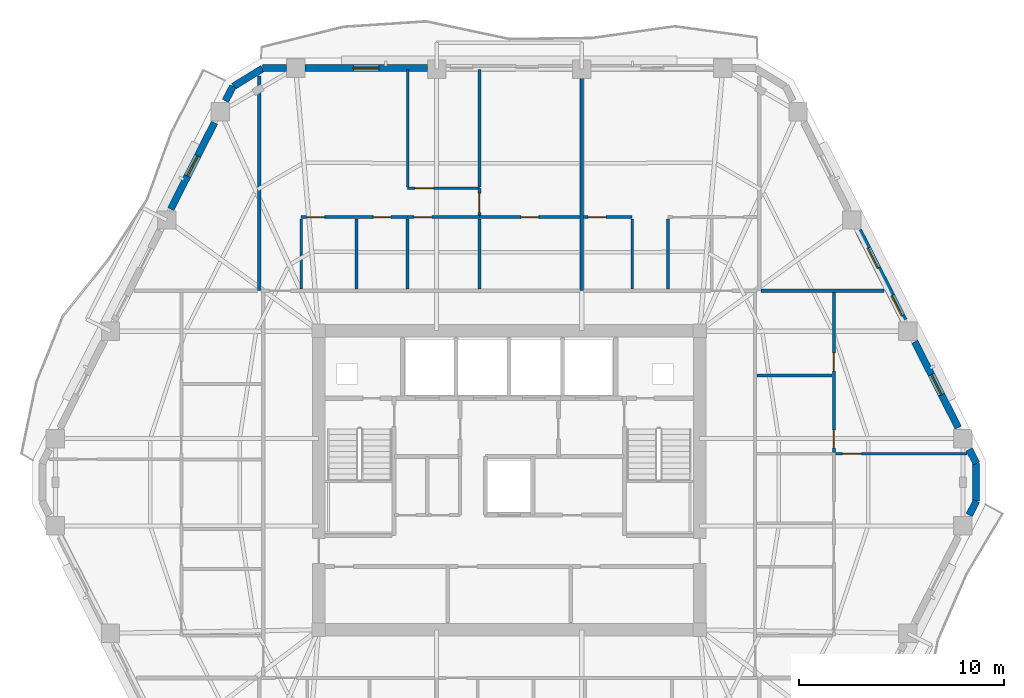
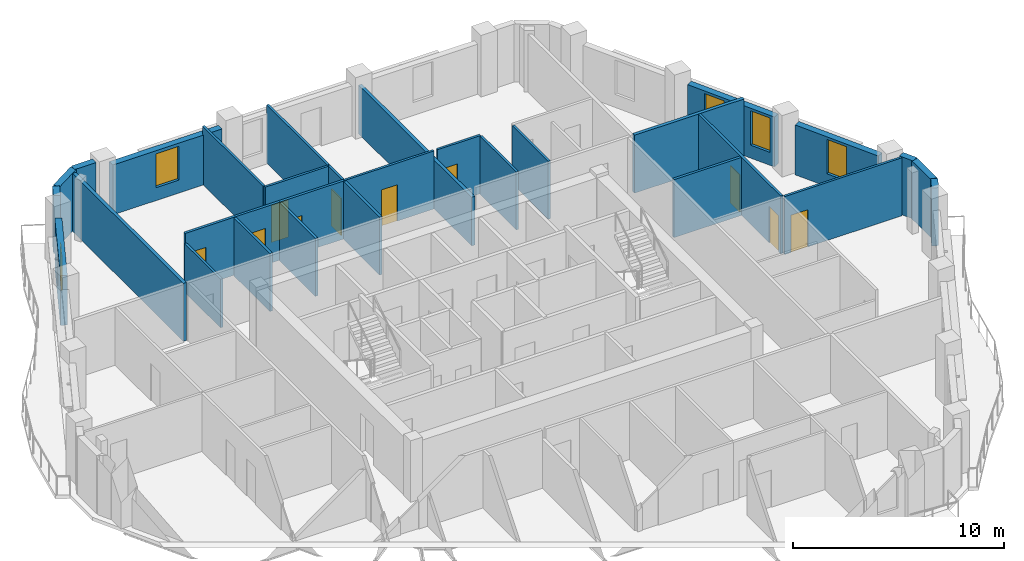
# One storey, part 7 of 11: 30 walls, 10 doors, 5 windows, 15 openings.
"""IFC4 building model written with IfcOpenShell, lengths in metres."""

from ifc_helpers import new_model, si_unit, direction, frame, frame_2d, origin, place, context, subcontext, project, spatial, rectangle, extrude, material, layer, layer_set, type_object, element, fill, save


model = new_model("IFC4")

# Units and contexts
model_context = context("Model", 3, precision=1e-05, world=origin(), true_north=direction((0.0, 1.0)))
body_context = subcontext(model_context, "Body", "Model", "MODEL_VIEW")
ifc_project = project(units=[si_unit("LENGTHUNIT", "METRE"), si_unit("AREAUNIT", "SQUARE_METRE"), si_unit("VOLUMEUNIT", "CUBIC_METRE"), si_unit("PLANEANGLEUNIT", "RADIAN"), si_unit("MASSUNIT", "GRAM", prefix="KILO")], contexts=[model_context])

# Site, building, storey
site_placement = place(None, origin())
site = spatial("IfcSite", under=ifc_project, at=site_placement, CompositionType="ELEMENT")
building_placement = place(site_placement, origin())
building = spatial("IfcBuilding", under=site, at=building_placement, Name="Cinnabar Lancet Tower", CompositionType="ELEMENT")
storey_placement = place(building_placement, frame((0.0, 0.0, 182.550048828125)))
storey = spatial("IfcBuildingStorey", under=building, at=storey_placement, Name="L48", CompositionType="ELEMENT", Elevation=182.550048828125)

# Walls
ifc_material_1 = material(Name="Fire-rated twin-frame acoustic drywall", Category="gypsum")
ifc_layer_1 = layer(ifc_material_1, 0.179931640625)
ifc_layer_set_1 = layer_set([ifc_layer_1], Name="Fire-rated twin-frame acoustic drywall")
wall_type_1 = type_object("IfcWallType", Name="ARC-WL-PARTY-180", PredefinedType="PARTITIONING", material=ifc_layer_set_1)
wall_1_placement = place(storey_placement, frame((20.199951171875, 35.14990234375, 0.0), z_axis=(0.0, 0.0, 1.0), x_axis=(0.0, 1.0, 0.0)))
element("IfcWall", 1, at=wall_1_placement, inside=storey, type_object=wall_type_1, Name="PW-L48-NPTY-202", PredefinedType="PARTITIONING", context=body_context, shape_type="SweptSolid", body=[
    extrude(rectangle(XDim=10.482177734375, YDim=0.179931640625, at=frame_2d((5.2412109375, 0.0))), origin(), (0.0, 0.0, 1.0), 3.349853515625),
])
wall_2_placement = place(storey_placement, frame((35.943115234375, 35.14990234375, 0.0), z_axis=(0.0, 0.0, 1.0), x_axis=(0.0, 1.0, 0.0)))
element("IfcWall", 2, at=wall_2_placement, inside=storey, type_object=wall_type_1, Name="PW-L48-NPTY-359", PredefinedType="PARTITIONING", context=body_context, shape_type="SweptSolid", body=[
    extrude(rectangle(XDim=10.695068359375, YDim=0.179931640625, at=frame_2d((5.34765625, 0.0))), origin(), (0.0, 0.0, 1.0), 2.806884765625),
])
wall_3_placement = place(storey_placement, frame((44.695068359375, 35.14990234375, 0.0), z_axis=(0.0, 0.0, 1.0), x_axis=(1.0, 0.0, 0.0)))
element("IfcWall", 3, at=wall_3_placement, inside=storey, type_object=wall_type_1, Name="PW-L48-ENB", PredefinedType="PARTITIONING", context=body_context, shape_type="SweptSolid", body=[
    extrude(rectangle(XDim=5.994873046875, YDim=0.179931640625, at=frame_2d((2.99755859375, 0.0))), origin(), (0.0, 0.0, 1.0), 3.349853515625),
])
ifc_material_2 = material(Name="Gypsum plasterboard stud partition", Category="gypsum")
ifc_layer_2 = layer(ifc_material_2, 0.125)
ifc_layer_set_2 = layer_set([ifc_layer_2], Name="Gypsum plasterboard stud partition")
wall_type_2 = type_object("IfcWallType", Name="ARC-WL-UNIT-125", PredefinedType="PARTITIONING", material=ifc_layer_set_2)
wall_4_placement = place(storey_placement, frame((22.25, 35.235107421875, 0.0), z_axis=(0.0, 0.0, 1.0), x_axis=(0.0, 1.0, 0.0)))
element("IfcWall", 4, at=wall_4_placement, inside=storey, type_object=wall_type_2, Name="UW-L48-N01-FOYE", PredefinedType="PARTITIONING", context=body_context, shape_type="SweptSolid", body=[
    extrude(rectangle(XDim=3.40478515625, YDim=0.125, at=frame_2d((1.702392578125, 0.0))), origin(), (0.0, 0.0, 1.0), 2.806884765625),
])

# Wall, opening, door
wall_5_placement = place(storey_placement, frame((30.949951171875, 38.7451171875, 0.0), z_axis=(0.0, 0.0, 1.0), x_axis=(1.0, 0.0, 0.0)))
wall_5 = element("IfcWall", 5, at=wall_5_placement, inside=storey, type_object=wall_type_2, Name="UW-L48-N01-SP2", PredefinedType="PARTITIONING", context=body_context, shape_type="SweptSolid", body=[
    extrude(rectangle(XDim=4.89794921875, YDim=0.125, at=frame_2d((2.448974609375, 0.0))), origin(), (0.0, 0.0, 1.0), 3.349853515625),
])
opening_1_placement = place(wall_5_placement, frame((2.02392578125, 0.0, 0.0)))
opening_1 = element("IfcOpeningElement", 6, at=opening_1_placement, cuts=wall_5, Name="Opening BD-01", PredefinedType="OPENING", context=body_context, shape_type="SweptSolid", body=[
    extrude(rectangle(XDim=0.860107421875, YDim=2.10009765625, at=frame_2d((0.43017578125, 1.050048828125))), frame((0.0, 0.072509765625, 0.0), z_axis=(0.0, -1.0, 0.0), x_axis=(1.0, 0.0, 0.0)), (0.0, 0.0, 1.0), 0.14501953125),
])
ifc_material_3 = material(Name="Moisture-resistant timber bathroom door", Category="wood")
door_type_1 = type_object("IfcDoorType", Name="ARC-DR-BATH", OperationType="NOTDEFINED", PredefinedType="DOOR", material=ifc_material_3)
door_1_placement = place(opening_1_placement, origin())
door_1 = element("IfcDoor", 7, at=door_1_placement, inside=storey, type_object=door_type_1, Name="DR-L48-N01-ENS", OperationType="SINGLE_SWING_LEFT", OverallHeight=2.10009765625, OverallWidth=0.860107421875, PredefinedType="DOOR", context=body_context, shape_type="SweptSolid", body=[
    extrude(rectangle(XDim=0.860107421875, YDim=2.10009765625, at=frame_2d((0.43017578125, 1.050048828125))), frame((0.0, 0.02490234375, 0.0), z_axis=(0.0, -1.0, 0.0), x_axis=(1.0, 0.0, 0.0)), (0.0, 0.0, 1.0), 0.050048828125),
])
fill(opening_1, door_1)

# Wall
wall_6_placement = place(storey_placement, frame((27.44189453125, 40.2099609375, 0.0), z_axis=(0.0, 0.0, 1.0), x_axis=(0.0, 1.0, 0.0)))
element("IfcWall", 8, at=wall_6_placement, inside=storey, type_object=wall_type_2, Name="UW-L48-N01-BD2W", PredefinedType="PARTITIONING", context=body_context, shape_type="SweptSolid", body=[
    extrude(rectangle(XDim=5.72509765625, YDim=0.125, at=frame_2d((2.862548828125, 0.0))), origin(), (0.0, 0.0, 1.0), 3.349853515625),
])

# Wall, opening, door
wall_7_placement = place(storey_placement, frame((27.44189453125, 40.14501953125, 0.0), z_axis=(0.0, 0.0, 1.0), x_axis=(1.0, 0.0, 0.0)))
wall_7 = element("IfcWall", 9, at=wall_7_placement, inside=storey, type_object=wall_type_2, Name="UW-L48-N01-HLN", PredefinedType="PARTITIONING", context=body_context, shape_type="SweptSolid", body=[
    extrude(rectangle(XDim=3.508056640625, YDim=0.125, at=frame_2d((1.75390625, 0.0))), origin(), (0.0, 0.0, 1.0), 3.349853515625),
])
opening_2_placement = place(wall_7_placement, frame((0.35009765625, 0.0, 0.0)))
opening_2 = element("IfcOpeningElement", 10, at=opening_2_placement, cuts=wall_7, Name="Opening RD-01", PredefinedType="OPENING", context=body_context, shape_type="SweptSolid", body=[
    extrude(rectangle(XDim=0.919921875, YDim=2.14990234375, at=frame_2d((0.4599609375, 1.074951171875))), frame((0.0, 0.072509765625, 0.0), z_axis=(0.0, -1.0, 0.0), x_axis=(1.0, 0.0, 0.0)), (0.0, 0.0, 1.0), 0.14501953125),
])
ifc_material_4 = material(Name="Engineered timber bedroom door", Category="wood")
door_type_2 = type_object("IfcDoorType", Name="ARC-DR-ROOM", OperationType="NOTDEFINED", PredefinedType="DOOR", material=ifc_material_4)
door_2_placement = place(opening_2_placement, origin())
door_2 = element("IfcDoor", 11, at=door_2_placement, inside=storey, type_object=door_type_2, Name="DR-L48-N01-BD2", OperationType="SINGLE_SWING_RIGHT", OverallHeight=2.14990234375, OverallWidth=0.919921875, PredefinedType="DOOR", context=body_context, shape_type="SweptSolid", body=[
    extrude(rectangle(XDim=0.919921875, YDim=2.14990234375, at=frame_2d((0.4599609375, 1.074951171875))), frame((0.0, 0.02490234375, 0.0), z_axis=(0.0, -1.0, 0.0), x_axis=(1.0, 0.0, 0.0)), (0.0, 0.0, 1.0), 0.050048828125),
])
fill(opening_2, door_2)

wall_8_placement = place(storey_placement, frame((30.949951171875, 38.81494140625, 0.0), z_axis=(0.0, 0.0, 1.0), x_axis=(0.0, 1.0, 0.0)))
wall_8 = element("IfcWall", 12, at=wall_8_placement, inside=storey, type_object=wall_type_2, Name="UW-L48-N01-MBE", PredefinedType="PARTITIONING", context=body_context, shape_type="SweptSolid", body=[
    extrude(rectangle(XDim=1.330078125, YDim=0.125, at=frame_2d((0.6650390625, 0.0))), origin(), (0.0, 0.0, 1.0), 3.349853515625),
])
opening_3_placement = place(wall_8_placement, frame((0.159912109375, 0.0, 0.0)))
opening_3 = element("IfcOpeningElement", 13, at=opening_3_placement, cuts=wall_8, Name="Opening RD-01", PredefinedType="OPENING", context=body_context, shape_type="SweptSolid", body=[
    extrude(rectangle(XDim=0.919921875, YDim=2.14990234375, at=frame_2d((0.4599609375, 1.074951171875))), frame((0.0, 0.072509765625, 0.0), z_axis=(0.0, -1.0, 0.0), x_axis=(1.0, 0.0, 0.0)), (0.0, 0.0, 1.0), 0.14501953125),
])
door_3_placement = place(opening_3_placement, origin())
door_3 = element("IfcDoor", 14, at=door_3_placement, inside=storey, type_object=door_type_2, Name="DR-L48-N01-MBD", OperationType="SINGLE_SWING_RIGHT", OverallHeight=2.14990234375, OverallWidth=0.919921875, PredefinedType="DOOR", context=body_context, shape_type="SweptSolid", body=[
    extrude(rectangle(XDim=0.919921875, YDim=2.14990234375, at=frame_2d((0.4599609375, 1.074951171875))), frame((0.0, 0.02490234375, 0.0), z_axis=(0.0, -1.0, 0.0), x_axis=(1.0, 0.0, 0.0)), (0.0, 0.0, 1.0), 0.050048828125),
])
fill(opening_3, door_3)

# Walls
wall_9_placement = place(storey_placement, frame((30.949951171875, 40.2099609375, 0.0), z_axis=(0.0, 0.0, 1.0), x_axis=(0.0, 1.0, 0.0)))
element("IfcWall", 15, at=wall_9_placement, inside=storey, type_object=wall_type_2, Name="UW-L48-N01-MB2W", PredefinedType="PARTITIONING", context=body_context, shape_type="SweptSolid", body=[
    extrude(rectangle(XDim=5.72509765625, YDim=0.125, at=frame_2d((2.862548828125, 0.0))), origin(), (0.0, 0.0, 1.0), 3.349853515625),
])
for number, where, z_axis, x_axis, name in (
    (16, (40.14990234375, 35.235107421875, 0.0), (0.0, 0.0, 1.0), (0.0, 1.0, 0.0), "UW-L48-N02-FOYE"),
    (17, (38.39990234375, 35.235107421875, 0.0), (0.0, 0.0, 1.0), (0.0, 1.0, 0.0), "UW-L48-N02-FOYW"),
):
    element("IfcWall", number, at=place(storey_placement, frame(where, z_axis=z_axis, x_axis=x_axis)), inside=storey, type_object=wall_type_2, Name=name, PredefinedType="PARTITIONING", context=body_context, shape_type="SweptSolid", body=[
        extrude(rectangle(XDim=3.40478515625, YDim=0.125, at=frame_2d((1.702392578125, 0.0))), origin(), (0.0, 0.0, 1.0), 3.349853515625),
    ])

# Wall, opening, door
wall_10_placement = place(storey_placement, frame((36.0380859375, 38.7451171875, 0.0), z_axis=(0.0, 0.0, 1.0), x_axis=(1.0, 0.0, 0.0)))
wall_10 = element("IfcWall", 18, at=wall_10_placement, inside=storey, type_object=wall_type_2, Name="UW-L48-N02-SP0", PredefinedType="PARTITIONING", context=body_context, shape_type="SweptSolid", body=[
    extrude(rectangle(XDim=2.36181640625, YDim=0.125, at=frame_2d((1.180908203125, 0.0))), origin(), (0.0, 0.0, 1.0), 3.349853515625),
])
opening_4_placement = place(wall_10_placement, frame((0.199951171875, 0.0, 0.0)))
opening_4 = element("IfcOpeningElement", 19, at=opening_4_placement, cuts=wall_10, Name="Opening RD-02", PredefinedType="OPENING", context=body_context, shape_type="SweptSolid", body=[
    extrude(rectangle(XDim=0.8798828125, YDim=2.14990234375, at=frame_2d((0.43994140625, 1.074951171875))), frame((0.0, 0.072509765625, 0.0), z_axis=(0.0, -1.0, 0.0), x_axis=(1.0, 0.0, 0.0)), (0.0, 0.0, 1.0), 0.14501953125),
])
ifc_material_5 = material(Name="Engineered timber study door", Category="wood")
door_type_3 = type_object("IfcDoorType", Name="ARC-DR-STUDY", OperationType="NOTDEFINED", PredefinedType="DOOR", material=ifc_material_5)
door_4_placement = place(opening_4_placement, origin())
door_4 = element("IfcDoor", 20, at=door_4_placement, inside=storey, type_object=door_type_3, Name="DR-L48-N02-EX0", OperationType="SINGLE_SWING_RIGHT", OverallHeight=2.14990234375, OverallWidth=0.8798828125, PredefinedType="DOOR", context=body_context, shape_type="SweptSolid", body=[
    extrude(rectangle(XDim=0.8798828125, YDim=2.14990234375, at=frame_2d((0.43994140625, 1.074951171875))), frame((0.0, 0.02490234375, 0.0), z_axis=(0.0, -1.0, 0.0), x_axis=(1.0, 0.0, 0.0)), (0.0, 0.0, 1.0), 0.050048828125),
])
fill(opening_4, door_4)

wall_11_placement = place(storey_placement, frame((48.324951171875, 27.18896484375, 0.0), z_axis=(0.0, 0.0, 1.0), x_axis=(1.0, 0.0, 0.0)))
wall_11 = element("IfcWall", 21, at=wall_11_placement, inside=storey, type_object=wall_type_2, Name="UW-L48-E01-MBN", PredefinedType="PARTITIONING", context=body_context, shape_type="SweptSolid", body=[
    extrude(rectangle(XDim=6.407958984375, YDim=0.125, at=frame_2d((3.2041015625, 0.0))), origin(), (0.0, 0.0, 1.0), 3.349853515625),
])
opening_5_placement = place(wall_11_placement, frame((0.35009765625, 0.0, 0.0)))
opening_5 = element("IfcOpeningElement", 22, at=opening_5_placement, cuts=wall_11, Name="Opening RD-01", PredefinedType="OPENING", context=body_context, shape_type="SweptSolid", body=[
    extrude(rectangle(XDim=0.919921875, YDim=2.14990234375, at=frame_2d((0.4599609375, 1.074951171875))), frame((0.0, 0.072509765625, 0.0), z_axis=(0.0, -1.0, 0.0), x_axis=(1.0, 0.0, 0.0)), (0.0, 0.0, 1.0), 0.14501953125),
])
door_5_placement = place(opening_5_placement, origin())
door_5 = element("IfcDoor", 23, at=door_5_placement, inside=storey, type_object=door_type_2, Name="DR-L48-E01-MBD", OperationType="SINGLE_SWING_LEFT", OverallHeight=2.14990234375, OverallWidth=0.919921875, PredefinedType="DOOR", context=body_context, shape_type="SweptSolid", body=[
    extrude(rectangle(XDim=0.919921875, YDim=2.14990234375, at=frame_2d((0.4599609375, 1.074951171875))), frame((0.0, 0.02490234375, 0.0), z_axis=(0.0, -1.0, 0.0), x_axis=(1.0, 0.0, 0.0)), (0.0, 0.0, 1.0), 0.050048828125),
])
fill(opening_5, door_5)

# Wall, openings, doors
ifc_material_6 = material(Name="Moisture-resistant cement-board plumbing wall", Category="masonry")
ifc_layer_3 = layer(ifc_material_6, 0.139892578125)
ifc_layer_set_3 = layer_set([ifc_layer_3], Name="Moisture-resistant cement-board plumbing wall")
wall_type_3 = type_object("IfcWallType", Name="ARC-WL-WET-140", PredefinedType="PLUMBINGWALL", material=ifc_layer_set_3)
wall_12_placement = place(storey_placement, frame((22.25, 38.7451171875, 0.0), z_axis=(0.0, 0.0, 1.0), x_axis=(1.0, 0.0, 0.0)))
wall_12 = element("IfcWall", 24, at=wall_12_placement, inside=storey, type_object=wall_type_3, Name="UW-L48-N01-SPL", PredefinedType="PLUMBINGWALL", context=body_context, shape_type="SweptSolid", body=[
    extrude(rectangle(XDim=5.19189453125, YDim=0.139892578125, at=frame_2d((2.595947265625, 0.0))), origin(), (0.0, 0.0, 1.0), 3.349853515625),
])
opening_6_placement = place(wall_12_placement, frame((3.52099609375, 0.0, 0.0)))
opening_6 = element("IfcOpeningElement", 25, at=opening_6_placement, cuts=wall_12, Name="Opening BD-01", PredefinedType="OPENING", context=body_context, shape_type="SweptSolid", body=[
    extrude(rectangle(XDim=0.860107421875, YDim=2.10009765625, at=frame_2d((0.43017578125, 1.050048828125))), frame((0.0, 0.079833984375, 0.0), z_axis=(0.0, -1.0, 0.0), x_axis=(1.0, 0.0, 0.0)), (0.0, 0.0, 1.0), 0.159912109375),
])
opening_7_placement = place(wall_12_placement, frame((0.260009765625, 0.0, 0.0)))
opening_7 = element("IfcOpeningElement", 26, at=opening_7_placement, cuts=wall_12, Name="Opening RD-02", PredefinedType="OPENING", context=body_context, shape_type="SweptSolid", body=[
    extrude(rectangle(XDim=0.8798828125, YDim=2.14990234375, at=frame_2d((0.43994140625, 1.074951171875))), frame((0.0, 0.079833984375, 0.0), z_axis=(0.0, -1.0, 0.0), x_axis=(1.0, 0.0, 0.0)), (0.0, 0.0, 1.0), 0.159912109375),
])
door_6_placement = place(opening_6_placement, origin())
door_6 = element("IfcDoor", 27, at=door_6_placement, inside=storey, type_object=door_type_1, Name="DR-L48-N01-BTH", OperationType="SINGLE_SWING_LEFT", OverallHeight=2.10009765625, OverallWidth=0.860107421875, PredefinedType="DOOR", context=body_context, shape_type="SweptSolid", body=[
    extrude(rectangle(XDim=0.860107421875, YDim=2.10009765625, at=frame_2d((0.43017578125, 1.050048828125))), frame((0.0, 0.02490234375, 0.0), z_axis=(0.0, -1.0, 0.0), x_axis=(1.0, 0.0, 0.0)), (0.0, 0.0, 1.0), 0.050048828125),
])
fill(opening_6, door_6)
door_7_placement = place(opening_7_placement, origin())
door_7 = element("IfcDoor", 28, at=door_7_placement, inside=storey, type_object=door_type_3, Name="DR-L48-N01-KIT", OperationType="SINGLE_SWING_RIGHT", OverallHeight=2.14990234375, OverallWidth=0.8798828125, PredefinedType="DOOR", context=body_context, shape_type="SweptSolid", body=[
    extrude(rectangle(XDim=0.8798828125, YDim=2.14990234375, at=frame_2d((0.43994140625, 1.074951171875))), frame((0.0, 0.02490234375, 0.0), z_axis=(0.0, -1.0, 0.0), x_axis=(1.0, 0.0, 0.0)), (0.0, 0.0, 1.0), 0.050048828125),
])
fill(opening_7, door_7)

# Wall, opening, door
wall_13_placement = place(storey_placement, frame((27.44189453125, 38.7451171875, 0.0), z_axis=(0.0, 0.0, 1.0), x_axis=(1.0, 0.0, 0.0)))
wall_13 = element("IfcWall", 29, at=wall_13_placement, inside=storey, type_object=wall_type_3, Name="UW-L48-N01-SPM", PredefinedType="PLUMBINGWALL", context=body_context, shape_type="SweptSolid", body=[
    extrude(rectangle(XDim=3.508056640625, YDim=0.139892578125, at=frame_2d((1.75390625, 0.0))), origin(), (0.0, 0.0, 1.0), 3.349853515625),
])
opening_8_placement = place(wall_13_placement, frame((0.300048828125, 0.0, 0.0)))
opening_8 = element("IfcOpeningElement", 30, at=opening_8_placement, cuts=wall_13, Name="Opening RD-02", PredefinedType="OPENING", context=body_context, shape_type="SweptSolid", body=[
    extrude(rectangle(XDim=0.8798828125, YDim=2.14990234375, at=frame_2d((0.43994140625, 1.074951171875))), frame((0.0, 0.079833984375, 0.0), z_axis=(0.0, -1.0, 0.0), x_axis=(1.0, 0.0, 0.0)), (0.0, 0.0, 1.0), 0.159912109375),
])
door_8_placement = place(opening_8_placement, origin())
door_8 = element("IfcDoor", 31, at=door_8_placement, inside=storey, type_object=door_type_3, Name="DR-L48-N01-UTL", OperationType="SINGLE_SWING_LEFT", OverallHeight=2.14990234375, OverallWidth=0.8798828125, PredefinedType="DOOR", context=body_context, shape_type="SweptSolid", body=[
    extrude(rectangle(XDim=0.8798828125, YDim=2.14990234375, at=frame_2d((0.43994140625, 1.074951171875))), frame((0.0, 0.02490234375, 0.0), z_axis=(0.0, -1.0, 0.0), x_axis=(1.0, 0.0, 0.0)), (0.0, 0.0, 1.0), 0.050048828125),
])
fill(opening_8, door_8)

# Walls
for number, where, z_axis, x_axis, name in (
    (32, (24.949951171875, 35.235107421875, 0.0), (0.0, 0.0, 1.0), (0.0, 1.0, 0.0), "UW-L48-N01-KDV"),
    (33, (27.44189453125, 35.235107421875, 0.0), (0.0, 0.0, 1.0), (0.0, 1.0, 0.0), "UW-L48-N01-ENSW"),
    (34, (30.949951171875, 35.235107421875, 0.0), (0.0, 0.0, 1.0), (0.0, 1.0, 0.0), "UW-L48-N01-ENSE"),
):
    element("IfcWall", number, at=place(storey_placement, frame(where, z_axis=z_axis, x_axis=x_axis)), inside=storey, type_object=wall_type_3, Name=name, PredefinedType="PLUMBINGWALL", context=body_context, shape_type="SweptSolid", body=[
        extrude(rectangle(XDim=3.40478515625, YDim=0.139892578125, at=frame_2d((1.702392578125, 0.0))), origin(), (0.0, 0.0, 1.0), 3.349853515625),
    ])

# Wall, openings, doors
wall_14_placement = place(storey_placement, frame((48.25, 27.259033203125, 0.0), z_axis=(0.0, 0.0, 1.0), x_axis=(0.0, 1.0, 0.0)))
wall_14 = element("IfcWall", 35, at=wall_14_placement, inside=storey, type_object=wall_type_3, Name="UW-L48-E01-SPM", PredefinedType="PLUMBINGWALL", context=body_context, shape_type="SweptSolid", body=[
    extrude(rectangle(XDim=7.7958984375, YDim=0.139892578125, at=frame_2d((3.89794921875, 0.0))), origin(), (0.0, 0.0, 1.0), 3.349853515625),
])
opening_9_placement = place(wall_14_placement, frame((0.219970703125, 0.0, 0.0)))
opening_9 = element("IfcOpeningElement", 36, at=opening_9_placement, cuts=wall_14, Name="Opening BD-01", PredefinedType="OPENING", context=body_context, shape_type="SweptSolid", body=[
    extrude(rectangle(XDim=0.860107421875, YDim=2.10009765625, at=frame_2d((0.43017578125, 1.050048828125))), frame((0.0, 0.079833984375, 0.0), z_axis=(0.0, -1.0, 0.0), x_axis=(1.0, 0.0, 0.0)), (0.0, 0.0, 1.0), 0.159912109375),
])
opening_10_placement = place(wall_14_placement, frame((3.97998046875, 0.0, 0.0)))
opening_10 = element("IfcOpeningElement", 37, at=opening_10_placement, cuts=wall_14, Name="Opening RD-02", PredefinedType="OPENING", context=body_context, shape_type="SweptSolid", body=[
    extrude(rectangle(XDim=0.8798828125, YDim=2.14990234375, at=frame_2d((0.43994140625, 1.074951171875))), frame((0.0, 0.079833984375, 0.0), z_axis=(0.0, -1.0, 0.0), x_axis=(1.0, 0.0, 0.0)), (0.0, 0.0, 1.0), 0.159912109375),
])
door_9_placement = place(opening_9_placement, origin())
door_9 = element("IfcDoor", 38, at=door_9_placement, inside=storey, type_object=door_type_1, Name="DR-L48-E01-ENS", OperationType="SINGLE_SWING_LEFT", OverallHeight=2.10009765625, OverallWidth=0.860107421875, PredefinedType="DOOR", context=body_context, shape_type="SweptSolid", body=[
    extrude(rectangle(XDim=0.860107421875, YDim=2.10009765625, at=frame_2d((0.43017578125, 1.050048828125))), frame((0.0, 0.02490234375, 0.0), z_axis=(0.0, -1.0, 0.0), x_axis=(1.0, 0.0, 0.0)), (0.0, 0.0, 1.0), 0.050048828125),
])
fill(opening_9, door_9)
door_10_placement = place(opening_10_placement, origin())
door_10 = element("IfcDoor", 39, at=door_10_placement, inside=storey, type_object=door_type_3, Name="DR-L48-E01-EWDR", OperationType="SINGLE_SWING_RIGHT", OverallHeight=2.14990234375, OverallWidth=0.8798828125, PredefinedType="DOOR", context=body_context, shape_type="SweptSolid", body=[
    extrude(rectangle(XDim=0.8798828125, YDim=2.14990234375, at=frame_2d((0.43994140625, 1.074951171875))), frame((0.0, 0.02490234375, 0.0), z_axis=(0.0, -1.0, 0.0), x_axis=(1.0, 0.0, 0.0)), (0.0, 0.0, 1.0), 0.050048828125),
])
fill(opening_10, door_10)

# Walls
wall_15_placement = place(storey_placement, frame((44.485107421875, 31.01904296875, 0.0), z_axis=(0.0, 0.0, 1.0), x_axis=(1.0, 0.0, 0.0)))
element("IfcWall", 40, at=wall_15_placement, inside=storey, type_object=wall_type_3, Name="UW-L48-E01-EWDV", PredefinedType="PLUMBINGWALL", context=body_context, shape_type="SweptSolid", body=[
    extrude(rectangle(XDim=3.679931640625, YDim=0.139892578125, at=frame_2d((1.83984375, 0.0))), origin(), (0.0, 0.0, 1.0), 3.349853515625),
])
ifc_material_7 = material(Name="Cinnabar red clay brick", Category="masonry")
ifc_layer_4 = layer(ifc_material_7, 0.340087890625)
ifc_layer_set_4 = layer_set([ifc_layer_4], Name="Cinnabar red clay brick")
wall_type_4 = type_object("IfcWallType", Name="ENV-WL-BRK-RED-340", PredefinedType="STANDARD", material=ifc_layer_set_4)
wall_16_placement = place(storey_placement, frame((55.177978515625, 24.89208984375, 0.0), z_axis=(0.0, 0.0, 1.0), x_axis=(0.0, 1.0, 0.0)))
element("IfcWall", 41, at=wall_16_placement, inside=storey, type_object=wall_type_4, Name="L48 Chamfered Corner Brick Pier 3.1", PredefinedType="STANDARD", context=body_context, shape_type="SweptSolid", body=[
    extrude(rectangle(XDim=1.81591796875, YDim=0.340087890625, at=frame_2d((0.907958984375, 0.0))), origin(), (0.0, 0.0, 1.0), 3.349853515625),
])
wall_17_placement = place(storey_placement, frame((20.366943359375, 45.9951171875, 0.0), z_axis=(0.0, 0.0, 1.0), x_axis=(-0.851713271379, -0.524008113828, 0.0)))
element("IfcWall", 42, at=wall_17_placement, inside=storey, type_object=wall_type_4, Name="L48 Chamfered Corner Brick Pier 5.1", PredefinedType="STANDARD", context=body_context, shape_type="SweptSolid", body=[
    extrude(rectangle(XDim=1.677734375, YDim=0.340087890625, at=frame_2d((0.8388671875, 0.0))), origin(), (0.0, 0.0, 1.0), 3.349853515625),
])
for number, where, z_axis, x_axis, name in (
    (43, (54.85107421875, 24.197021484375, 0.0), (0.0, 0.0, 1.0), (0.451262448184, 0.892391283496, 0.0), "L48 Face 2 Masonry Bay Wall 5"),
    (44, (55.198974609375, 26.715087890625, 0.0), (0.0, 0.0, 1.0), (-0.451262448184, 0.892391283496, 0.0), "L48 Face 3 Masonry Bay Wall 1"),
):
    element("IfcWall", number, at=place(storey_placement, frame(where, z_axis=z_axis, x_axis=x_axis)), inside=storey, type_object=wall_type_4, Name=name, PredefinedType="STANDARD", context=body_context, shape_type="SweptSolid", body=[
        extrude(rectangle(XDim=0.77099609375, YDim=0.340087890625, at=frame_2d((0.385498046875, 0.0))), origin(), (0.0, 0.0, 1.0), 3.349853515625),
    ])

# Wall, opening, window
wall_18_placement = place(storey_placement, frame((54.31494140625, 28.462890625, 0.0), z_axis=(0.0, 0.0, 1.0), x_axis=(-0.451426298588, 0.892308409096, 0.0)))
wall_18 = element("IfcWall", 45, at=wall_18_placement, inside=storey, type_object=wall_type_4, Name="L48 Face 3 Masonry Bay Wall 2", PredefinedType="STANDARD", context=body_context, shape_type="SweptSolid", body=[
    extrude(rectangle(XDim=4.7001953125, YDim=0.340087890625, at=frame_2d((2.35009765625, 0.0))), origin(), (0.0, 0.0, 1.0), 2.883056640625),
])
opening_11_placement = place(wall_18_placement, frame((1.800048828125, 0.0, 0.75)))
opening_11 = element("IfcOpeningElement", 46, at=opening_11_placement, cuts=wall_18, Name="Opening WN-04", PredefinedType="OPENING", context=body_context, shape_type="SweptSolid", body=[
    extrude(rectangle(XDim=1.10009765625, YDim=1.98291015625, at=frame_2d((0.550048828125, 0.991455078125))), frame((0.0, 0.179931640625, 0.0), z_axis=(0.0, -1.0, 0.0), x_axis=(1.0, 0.0, 0.0)), (0.0, 0.0, 1.0), 0.360107421875),
])
ifc_material_8 = material(Name="Thermally broken bronze-anodized aluminium tall lancet window", Category="aluminium")
window_type_1 = type_object("IfcWindowType", Name="ENV-WN-LANCET-1100", PartitioningType="SINGLE_PANEL", PredefinedType="WINDOW", material=ifc_material_8)
window_1_placement = place(opening_11_placement, origin())
window_1 = element("IfcWindow", 47, at=window_1_placement, inside=storey, type_object=window_type_1, Name="L48 Face 3 Gothic Lancet Window 2", OverallHeight=1.98291015625, OverallWidth=1.10009765625, PartitioningType="SINGLE_PANEL", PredefinedType="WINDOW", context=body_context, shape_type="SweptSolid", body=[
    extrude(rectangle(XDim=1.10009765625, YDim=1.98291015625, at=frame_2d((0.550048828125, 0.991455078125))), frame((0.0, 0.030029296875, 0.0), z_axis=(0.0, -1.0, 0.0), x_axis=(1.0, 0.0, 0.0)), (0.0, 0.0, 1.0), 0.06005859375),
])
fill(opening_11, window_1)

# Wall, openings, windows
wall_19_placement = place(storey_placement, frame((51.6650390625, 33.701904296875, 0.0), z_axis=(0.0, 0.0, 1.0), x_axis=(-0.451524246964, 0.89225884944, 0.0)))
wall_19 = element("IfcWall", 48, at=wall_19_placement, inside=storey, type_object=wall_type_4, Name="L48 Face 3 Masonry Bay Wall 3", PredefinedType="STANDARD", context=body_context, shape_type="SweptSolid", body=[
    extrude(rectangle(XDim=4.91015625, YDim=0.340087890625, at=frame_2d((2.455078125, 0.0))), origin(), (0.0, 0.0, 1.0), 2.883056640625),
])
opening_12_placement = place(wall_19_placement, frame((0.240966796875, 0.0, 0.75)))
opening_12 = element("IfcOpeningElement", 49, at=opening_12_placement, cuts=wall_19, Name="Opening WN-04", PredefinedType="OPENING", context=body_context, shape_type="SweptSolid", body=[
    extrude(rectangle(XDim=1.10009765625, YDim=1.98291015625, at=frame_2d((0.550048828125, 0.991455078125))), frame((0.0, 0.179931640625, 0.0), z_axis=(0.0, -1.0, 0.0), x_axis=(1.0, 0.0, 0.0)), (0.0, 0.0, 1.0), 0.360107421875),
])
opening_13_placement = place(wall_19_placement, frame((2.846923828125, 0.0, 0.75)))
opening_13 = element("IfcOpeningElement", 50, at=opening_13_placement, cuts=wall_19, Name="Opening WN-04", PredefinedType="OPENING", context=body_context, shape_type="SweptSolid", body=[
    extrude(rectangle(XDim=1.10009765625, YDim=1.98291015625, at=frame_2d((0.550048828125, 0.991455078125))), frame((0.0, 0.179931640625, 0.0), z_axis=(0.0, -1.0, 0.0), x_axis=(1.0, 0.0, 0.0)), (0.0, 0.0, 1.0), 0.360107421875),
])
window_2_placement = place(opening_12_placement, origin())
window_2 = element("IfcWindow", 51, at=window_2_placement, inside=storey, type_object=window_type_1, Name="L48 Face 3 Gothic Lancet Window 3", OverallHeight=1.98291015625, OverallWidth=1.10009765625, PartitioningType="SINGLE_PANEL", PredefinedType="WINDOW", context=body_context, shape_type="SweptSolid", body=[
    extrude(rectangle(XDim=1.10009765625, YDim=1.98291015625, at=frame_2d((0.550048828125, 0.991455078125))), frame((0.0, 0.030029296875, 0.0), z_axis=(0.0, -1.0, 0.0), x_axis=(1.0, 0.0, 0.0)), (0.0, 0.0, 1.0), 0.06005859375),
])
fill(opening_12, window_2)
window_3_placement = place(opening_13_placement, origin())
window_3 = element("IfcWindow", 52, at=window_3_placement, inside=storey, type_object=window_type_1, Name="L48 Split-Bay Gothic Lancet Window 149", OverallHeight=1.98291015625, OverallWidth=1.10009765625, PartitioningType="SINGLE_PANEL", PredefinedType="WINDOW", context=body_context, shape_type="SweptSolid", body=[
    extrude(rectangle(XDim=1.10009765625, YDim=1.98291015625, at=frame_2d((0.550048828125, 0.991455078125))), frame((0.0, 0.030029296875, 0.0), z_axis=(0.0, -1.0, 0.0), x_axis=(1.0, 0.0, 0.0)), (0.0, 0.0, 1.0), 0.06005859375),
])
fill(opening_13, window_3)

# Wall, opening, window
wall_20_placement = place(storey_placement, frame((28.403076171875, 46.02001953125, 0.0), z_axis=(0.0, 0.0, 1.0), x_axis=(-1.0, 0.0, 0.0)))
wall_20 = element("IfcWall", 53, at=wall_20_placement, inside=storey, type_object=wall_type_4, Name="L48 Face 4 Masonry Bay Wall 4", PredefinedType="STANDARD", context=body_context, shape_type="SweptSolid", body=[
    extrude(rectangle(XDim=5.969970703125, YDim=0.340087890625, at=frame_2d((2.98486328125, 0.0))), origin(), (0.0, 0.0, 1.0), 2.883056640625),
])
opening_14_placement = place(wall_20_placement, frame((2.360107421875, 0.0, 0.75)))
opening_14 = element("IfcOpeningElement", 54, at=opening_14_placement, cuts=wall_20, Name="Opening WN-03", PredefinedType="OPENING", context=body_context, shape_type="SweptSolid", body=[
    extrude(rectangle(XDim=1.25, YDim=1.949951171875, at=frame_2d((0.625, 0.97509765625))), frame((0.0, 0.179931640625, 0.0), z_axis=(0.0, -1.0, 0.0), x_axis=(1.0, 0.0, 0.0)), (0.0, 0.0, 1.0), 0.360107421875),
])
ifc_material_9 = material(Name="Thermally broken bronze-anodized aluminium low-E double glazing", Category="aluminium")
window_type_2 = type_object("IfcWindowType", Name="ENV-WN-LANCET-1250", PartitioningType="SINGLE_PANEL", PredefinedType="WINDOW", material=ifc_material_9)
window_4_placement = place(opening_14_placement, origin())
window_4 = element("IfcWindow", 55, at=window_4_placement, inside=storey, type_object=window_type_2, Name="L48 Face 4 Gothic Lancet Window 4", OverallHeight=1.949951171875, OverallWidth=1.25, PartitioningType="SINGLE_PANEL", PredefinedType="WINDOW", context=body_context, shape_type="SweptSolid", body=[
    extrude(rectangle(XDim=1.25, YDim=1.949951171875, at=frame_2d((0.625, 0.97509765625))), frame((0.0, 0.030029296875, 0.0), z_axis=(0.0, -1.0, 0.0), x_axis=(1.0, 0.0, 0.0)), (0.0, 0.0, 1.0), 0.06005859375),
])
fill(opening_14, window_4)

# Walls
wall_21_placement = place(storey_placement, frame((21.52490234375, 46.02001953125, 0.0), z_axis=(0.0, 0.0, 1.0), x_axis=(-1.0, 0.0, 0.0)))
element("IfcWall", 56, at=wall_21_placement, inside=storey, type_object=wall_type_4, Name="L48 Face 4 Masonry Bay Wall 5", PredefinedType="STANDARD", context=body_context, shape_type="SweptSolid", body=[
    extrude(rectangle(XDim=1.162841796875, YDim=0.340087890625, at=frame_2d((0.58154296875, 0.0))), origin(), (0.0, 0.0, 1.0), 3.349853515625),
])
wall_22_placement = place(storey_placement, frame((18.91796875, 45.132080078125, 0.0), z_axis=(0.0, 0.0, 1.0), x_axis=(-0.451691568309, -0.892174157392, 0.0)))
element("IfcWall", 57, at=wall_22_placement, inside=storey, type_object=wall_type_4, Name="L48 Face 5 Masonry Bay Wall 1", PredefinedType="STANDARD", context=body_context, shape_type="SweptSolid", body=[
    extrude(rectangle(XDim=0.805908203125, YDim=0.340087890625, at=frame_2d((0.40283203125, 0.0))), origin(), (0.0, 0.0, 1.0), 3.349853515625),
])

# Wall, opening, window
wall_23_placement = place(storey_placement, frame((18.01708984375, 43.35107421875, 0.0), z_axis=(0.0, 0.0, 1.0), x_axis=(-0.45150207307, -0.892270070109, 0.0)))
wall_23 = element("IfcWall", 58, at=wall_23_placement, inside=storey, type_object=wall_type_4, Name="L48 Face 5 Masonry Bay Wall 2", PredefinedType="STANDARD", context=body_context, shape_type="SweptSolid", body=[
    extrude(rectangle(XDim=4.73095703125, YDim=0.340087890625, at=frame_2d((2.365478515625, 0.0))), origin(), (0.0, 0.0, 1.0), 2.883056640625),
])
opening_15_placement = place(wall_23_placement, frame((1.81494140625, 0.0, 0.75)))
opening_15 = element("IfcOpeningElement", 59, at=opening_15_placement, cuts=wall_23, Name="Opening WN-04", PredefinedType="OPENING", context=body_context, shape_type="SweptSolid", body=[
    extrude(rectangle(XDim=1.10009765625, YDim=1.98291015625, at=frame_2d((0.550048828125, 0.991455078125))), frame((0.0, 0.179931640625, 0.0), z_axis=(0.0, -1.0, 0.0), x_axis=(1.0, 0.0, 0.0)), (0.0, 0.0, 1.0), 0.360107421875),
])
window_5_placement = place(opening_15_placement, origin())
window_5 = element("IfcWindow", 60, at=window_5_placement, inside=storey, type_object=window_type_1, Name="L48 Face 5 Gothic Lancet Window 2", OverallHeight=1.98291015625, OverallWidth=1.10009765625, PartitioningType="SINGLE_PANEL", PredefinedType="WINDOW", context=body_context, shape_type="SweptSolid", body=[
    extrude(rectangle(XDim=1.10009765625, YDim=1.98291015625, at=frame_2d((0.550048828125, 0.991455078125))), frame((0.0, 0.030029296875, 0.0), z_axis=(0.0, -1.0, 0.0), x_axis=(1.0, 0.0, 0.0)), (0.0, 0.0, 1.0), 0.06005859375),
])
fill(opening_15, window_5)

save(model, "model.ifc")
